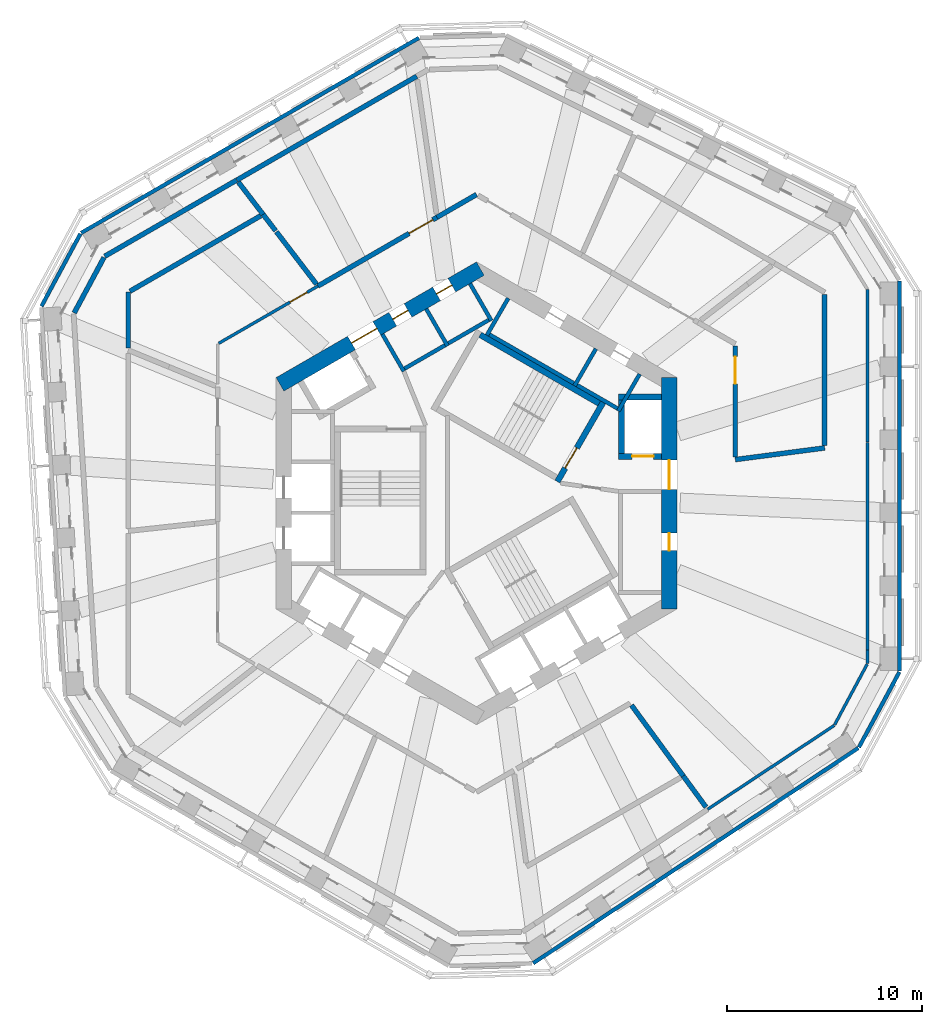
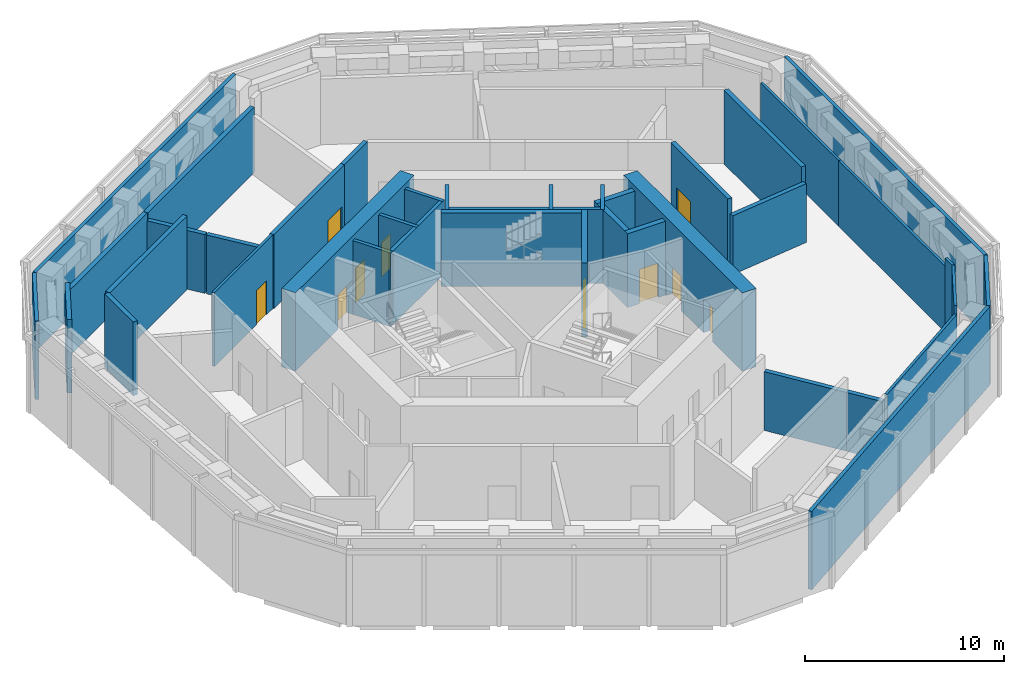
# One storey, part 7 of 15: 41 walls, 10 doors, 10 openings.
"""IFC4 building model written with IfcOpenShell, lengths in metres."""

from ifc_helpers import new_model, si_unit, direction, frame, frame_2d, origin, place, context, subcontext, project, spatial, rectangle, extrude, material, layer, layer_set, type_object, element, fill, save


model = new_model("IFC4")

# Units and contexts
model_context = context("Model", 3, precision=1e-05, world=origin(), true_north=direction((0.0, 1.0)))
body_context = subcontext(model_context, "Body", "Model", "MODEL_VIEW")
ifc_project = project(units=[si_unit("LENGTHUNIT", "METRE"), si_unit("AREAUNIT", "SQUARE_METRE"), si_unit("VOLUMEUNIT", "CUBIC_METRE"), si_unit("PLANEANGLEUNIT", "RADIAN"), si_unit("MASSUNIT", "GRAM", prefix="KILO")], contexts=[model_context])

# Site, building, storey
site_placement = place(None, origin())
site = spatial("IfcSite", under=ifc_project, at=site_placement, CompositionType="ELEMENT")
building_placement = place(site_placement, origin())
building = spatial("IfcBuilding", under=site, at=building_placement, Name="Vanh Sen Convention Tower", CompositionType="ELEMENT")
storey_placement = place(building_placement, frame((0.0, 0.0, 205.800048828125)))
storey = spatial("IfcBuildingStorey", under=building, at=storey_placement, Name="L51", CompositionType="ELEMENT", Elevation=205.800048828125)

# Walls
ifc_material_1 = material(Name="Concrete C40/50", Category="concrete")
ifc_layer_1 = layer(ifc_material_1, 0.25)
ifc_layer_set_1 = layer_set([ifc_layer_1], Name="Concrete C40/50")
wall_type_1 = type_object("IfcWallType", Name="Concrete wall 250 EI 180", PredefinedType="SOLIDWALL", material=ifc_layer_set_1)
wall_1_placement = place(storey_placement, frame((11.79638671875, -16.12841796875, 0.0), z_axis=(0.0, 0.0, 1.0), x_axis=(-0.59041584791, 0.807099204891, 0.0)))
element("IfcWall", 1, at=wall_1_placement, inside=storey, type_object=wall_type_1, Name="Fire-resisting wall L51-006", PredefinedType="SOLIDWALL", context=body_context, shape_type="SweptSolid", body=[
    extrude(rectangle(XDim=1.977294921875, YDim=0.25, at=frame_2d((0.98876953125, 0.0))), origin(), (0.0, 0.0, 1.0), 3.599853515625),
])
wall_2_placement = place(storey_placement, frame((7.96826171875, -10.894775390625, 0.0), z_axis=(0.0, 0.0, 1.0), x_axis=(0.590348117022, -0.807148747585, 0.0)))
element("IfcWall", 2, at=wall_2_placement, inside=storey, type_object=wall_type_1, Name="Fire-resisting wall L51-020", PredefinedType="SOLIDWALL", context=body_context, shape_type="SweptSolid", body=[
    extrude(rectangle(XDim=4.50439453125, YDim=0.25, at=frame_2d((2.252197265625, 0.0))), origin(), (0.0, 0.0, 1.0), 3.599853515625),
])
wall_3_placement = place(storey_placement, frame((13.300048828125, 1.732421875, 0.0), z_axis=(0.0, 0.0, 1.0), x_axis=(0.991624166516, 0.129156929283, 0.0)))
element("IfcWall", 3, at=wall_3_placement, inside=storey, type_object=wall_type_1, Name="Fire-resisting wall L51-034", PredefinedType="SOLIDWALL", context=body_context, shape_type="SweptSolid", body=[
    extrude(rectangle(XDim=4.638671875, YDim=0.25, at=frame_2d((2.3193359375, 0.0))), origin(), (0.0, 0.0, 1.0), 3.599853515625),
])
wall_4_placement = place(storey_placement, frame((17.89501953125, 2.4541015625, 0.0), z_axis=(0.0, 0.0, 1.0), x_axis=(0.0, 1.0, 0.0)))
element("IfcWall", 4, at=wall_4_placement, inside=storey, type_object=wall_type_1, Name="Fire-resisting wall L51-036", PredefinedType="SOLIDWALL", context=body_context, shape_type="SweptSolid", body=[
    extrude(rectangle(XDim=7.760498046875, YDim=0.25, at=frame_2d((3.88037109375, 0.0))), origin(), (0.0, 0.0, 1.0), 4.52001953125),
])
wall_5_placement = place(storey_placement, frame((-17.89990234375, 7.475830078125, 0.0), z_axis=(0.0, 0.0, 1.0), x_axis=(0.0, 1.0, 0.0)))
element("IfcWall", 5, at=wall_5_placement, inside=storey, type_object=wall_type_1, Name="Fire-resisting wall L51-041", PredefinedType="SOLIDWALL", context=body_context, shape_type="SweptSolid", body=[
    extrude(rectangle(XDim=2.858642578125, YDim=0.25, at=frame_2d((1.42919921875, 0.0))), origin(), (0.0, 0.0, 1.0), 4.52001953125),
])

# Wall, opening, door
wall_6_placement = place(storey_placement, frame((13.300048828125, 7.5791015625, 0.0), z_axis=(0.0, 0.0, 1.0), x_axis=(0.0, -1.0, 0.0)))
wall_6 = element("IfcWall", 6, at=wall_6_placement, inside=storey, type_object=wall_type_1, Name="Fire-resisting wall L51-042", PredefinedType="SOLIDWALL", context=body_context, shape_type="SweptSolid", body=[
    extrude(rectangle(XDim=5.70654296875, YDim=0.25, at=frame_2d((2.853271484375, 0.0))), origin(), (0.0, 0.0, 1.0), 4.52001953125),
])
opening_1_placement = place(wall_6_placement, frame((0.550048828125, 0.0, 0.0)))
opening_1 = element("IfcOpeningElement", 7, at=opening_1_placement, cuts=wall_6, Name="Opening D51106", PredefinedType="OPENING", context=body_context, shape_type="SweptSolid", body=[
    extrude(rectangle(XDim=1.39990234375, YDim=2.10009765625, at=frame_2d((0.699951171875, 1.050048828125))), frame((0.0, 0.135009765625, 0.0), z_axis=(0.0, -1.0, 0.0), x_axis=(1.0, 0.0, 0.0)), (0.0, 0.0, 1.0), 0.27001953125),
])
ifc_material_2 = material(Name="Steel S355", Category="steel")
door_type_1 = type_object("IfcDoorType", Name="Service door 1400 EI 60", OperationType="SINGLE_SWING_LEFT", PredefinedType="DOOR", material=ifc_material_2)
door_1_placement = place(opening_1_placement, origin())
door_1 = element("IfcDoor", 8, at=door_1_placement, inside=storey, type_object=door_type_1, Name="Service door D51106", OperationType="SINGLE_SWING_LEFT", OverallHeight=2.10009765625, OverallWidth=1.39990234375, PredefinedType="DOOR", context=body_context, shape_type="SweptSolid", body=[
    extrude(rectangle(XDim=1.39990234375, YDim=2.10009765625, at=frame_2d((0.699951171875, 1.050048828125))), frame((0.0, 0.02490234375, 0.0), z_axis=(0.0, -1.0, 0.0), x_axis=(1.0, 0.0, 0.0)), (0.0, 0.0, 1.0), 0.050048828125),
])
fill(opening_1, door_1)

# Walls
wall_7_placement = place(storey_placement, frame((-20.676025390625, 9.27587890625, 0.0), z_axis=(0.0, 0.0, 1.0), x_axis=(0.473256963985, 0.880924426974, 0.0)))
element("IfcWall", 9, at=wall_7_placement, inside=storey, type_object=wall_type_1, Name="Fire-resisting wall L51-046", PredefinedType="SOLIDWALL", context=body_context, shape_type="SweptSolid", body=[
    extrude(rectangle(XDim=3.23095703125, YDim=0.25, at=frame_2d((1.615478515625, 0.0))), origin(), (0.0, 0.0, 1.0), 4.52001953125),
])
wall_8_placement = place(storey_placement, frame((-17.8134765625, 10.384521484375, 0.0), z_axis=(0.0, 0.0, 1.0), x_axis=(0.866039997762, 0.499974721637, 0.0)))
element("IfcWall", 10, at=wall_8_placement, inside=storey, type_object=wall_type_1, Name="Fire-resisting wall L51-048", PredefinedType="SOLIDWALL", context=body_context, shape_type="SweptSolid", body=[
    extrude(rectangle(XDim=7.76318359375, YDim=0.25, at=frame_2d((3.881591796875, 0.0))), origin(), (0.0, 0.0, 1.0), 4.52001953125),
])

# Wall, opening, door
wall_9_placement = place(storey_placement, frame((-8.150146484375, 10.652099609375, 0.0), z_axis=(0.0, 0.0, 1.0), x_axis=(0.866033669941, 0.499985682323, 0.0)))
wall_9 = element("IfcWall", 11, at=wall_9_placement, inside=storey, type_object=wall_type_1, Name="Fire-resisting wall L51-051", PredefinedType="SOLIDWALL", context=body_context, shape_type="SweptSolid", body=[
    extrude(rectangle(XDim=7.065185546875, YDim=0.25, at=frame_2d((3.53271484375, 0.0))), origin(), (0.0, 0.0, 1.0), 4.52001953125),
])
opening_2_placement = place(wall_9_placement, frame((5.4150390625, 0.0, 0.0)))
opening_2 = element("IfcOpeningElement", 12, at=opening_2_placement, cuts=wall_9, Name="Opening D51109", PredefinedType="OPENING", context=body_context, shape_type="SweptSolid", body=[
    extrude(rectangle(XDim=1.39990234375, YDim=2.10009765625, at=frame_2d((0.699951171875, 1.050048828125))), frame((0.0, 0.135009765625, 0.0), z_axis=(0.0, -1.0, 0.0), x_axis=(1.0, 0.0, 0.0)), (0.0, 0.0, 1.0), 0.27001953125),
])
door_2_placement = place(opening_2_placement, origin())
door_2 = element("IfcDoor", 13, at=door_2_placement, inside=storey, type_object=door_type_1, Name="Service door D51109", OperationType="SINGLE_SWING_LEFT", OverallHeight=2.10009765625, OverallWidth=1.39990234375, PredefinedType="DOOR", context=body_context, shape_type="SweptSolid", body=[
    extrude(rectangle(XDim=1.39990234375, YDim=2.10009765625, at=frame_2d((0.699951171875, 1.050048828125))), frame((0.0, 0.02490234375, 0.0), z_axis=(0.0, -1.0, 0.0), x_axis=(1.0, 0.0, 0.0)), (0.0, 0.0, 1.0), 0.050048828125),
])
fill(opening_2, door_2)

# Walls
wall_10_placement = place(storey_placement, frame((-19.112548828125, 12.180908203125, 0.0), z_axis=(0.0, 0.0, 1.0), x_axis=(0.866048593798, 0.499959831567, 0.0)))
element("IfcWall", 14, at=wall_10_placement, inside=storey, type_object=wall_type_1, Name="Fire-resisting wall L51-054", PredefinedType="SOLIDWALL", context=body_context, shape_type="SweptSolid", body=[
    extrude(rectangle(XDim=7.834716796875, YDim=0.25, at=frame_2d((3.91748046875, 0.0))), origin(), (0.0, 0.0, 1.0), 4.02001953125),
])
wall_11_placement = place(storey_placement, frame((-10.283447265625, 13.43994140625, 0.0), z_axis=(0.0, 0.0, 1.0), x_axis=(0.607714696744, -0.794155430228, 0.0)))
element("IfcWall", 15, at=wall_11_placement, inside=storey, type_object=wall_type_1, Name="Fire-resisting wall L51-057", PredefinedType="SOLIDWALL", context=body_context, shape_type="SweptSolid", body=[
    extrude(rectangle(XDim=3.39013671875, YDim=0.25, at=frame_2d((1.695068359375, 0.0))), origin(), (0.0, 0.0, 1.0), 3.599853515625),
])
wall_12_placement = place(storey_placement, frame((-10.32470703125, 13.493896484375, 0.0), z_axis=(0.0, 0.0, 1.0), x_axis=(-0.607672305695, 0.794187867504, 0.0)))
element("IfcWall", 16, at=wall_12_placement, inside=storey, type_object=wall_type_1, Name="Fire-resisting wall L51-058", PredefinedType="SOLIDWALL", context=body_context, shape_type="SweptSolid", body=[
    extrude(rectangle(XDim=1.060302734375, YDim=0.25, at=frame_2d((0.5302734375, 0.0))), origin(), (0.0, 0.0, 1.0), 3.599853515625),
])
wall_13_placement = place(storey_placement, frame((-2.031494140625, 14.1845703125, 0.0), z_axis=(0.0, 0.0, 1.0), x_axis=(0.866031334088, 0.499989728273, 0.0)))
element("IfcWall", 17, at=wall_13_placement, inside=storey, type_object=wall_type_1, Name="Fire-resisting wall L51-059", PredefinedType="SOLIDWALL", context=body_context, shape_type="SweptSolid", body=[
    extrude(rectangle(XDim=2.345703125, YDim=0.25, at=frame_2d((1.1728515625, 0.0))), origin(), (0.0, 0.0, 1.0), 4.52001953125),
])
wall_14_placement = place(storey_placement, frame((-10.968994140625, 14.3359375, 0.0), z_axis=(0.0, 0.0, 1.0), x_axis=(-0.607750843191, 0.794127768436, 0.0)))
element("IfcWall", 18, at=wall_14_placement, inside=storey, type_object=wall_type_1, Name="Fire-resisting wall L51-060", PredefinedType="SOLIDWALL", context=body_context, shape_type="SweptSolid", body=[
    extrude(rectangle(XDim=2.078857421875, YDim=0.25, at=frame_2d((1.03955078125, 0.0))), origin(), (0.0, 0.0, 1.0), 3.599853515625),
])
wall_15_placement = place(storey_placement, frame((-12.315185546875, 16.099365234375, 0.0), z_axis=(0.0, 0.0, 1.0), x_axis=(0.866026394003, 0.499998284887, 0.0)))
element("IfcWall", 19, at=wall_15_placement, inside=storey, type_object=wall_type_1, Name="Fire-resisting wall L51-063", PredefinedType="SOLIDWALL", context=body_context, shape_type="SweptSolid", body=[
    extrude(rectangle(XDim=10.67529296875, YDim=0.25, at=frame_2d((5.337646484375, 0.0))), origin(), (0.0, 0.0, 1.0), 4.02001953125),
])

# Wall, openings, doors
ifc_material_3 = material(Name="Concrete C60/75", Category="concrete")
ifc_layer_2 = layer(ifc_material_3, 0.800048828125)
ifc_layer_set_2 = layer_set([ifc_layer_2], Name="Concrete C60/75")
wall_type_2 = type_object("IfcWallType", Name="Core outer wall 800 C60/75", PredefinedType="SHEAR", material=ifc_layer_set_2)
wall_16_placement = place(storey_placement, frame((9.89990234375, -5.94677734375, 0.0), z_axis=(0.0, 0.0, 1.0), x_axis=(0.0, 1.0, 0.0)))
wall_16 = element("IfcWall", 20, at=wall_16_placement, inside=storey, type_object=wall_type_2, Name="Core wall face E L51", PredefinedType="SHEAR", context=body_context, shape_type="SweptSolid", body=[
    extrude(rectangle(XDim=11.8935546875, YDim=0.800048828125, at=frame_2d((5.94677734375, 0.0))), origin(), (0.0, 0.0, 1.0), 4.800048828125),
])
opening_3_placement = place(wall_16_placement, frame((6.146728515625, 0.0, 0.0)))
opening_3 = element("IfcOpeningElement", 21, at=opening_3_placement, cuts=wall_16, Name="Opening D51001", PredefinedType="OPENING", context=body_context, shape_type="SweptSolid", body=[
    extrude(rectangle(XDim=1.5, YDim=2.10009765625, at=frame_2d((0.75, 1.050048828125))), frame((0.0, 0.409912109375, 0.0), z_axis=(0.0, -1.0, 0.0), x_axis=(1.0, 0.0, 0.0)), (0.0, 0.0, 1.0), 0.820068359375),
])
opening_4_placement = place(wall_16_placement, frame((2.99658203125, 0.0, 0.0)))
opening_4 = element("IfcOpeningElement", 22, at=opening_4_placement, cuts=wall_16, Name="Opening D51009", PredefinedType="OPENING", context=body_context, shape_type="SweptSolid", body=[
    extrude(rectangle(XDim=0.89990234375, YDim=2.10009765625, at=frame_2d((0.449951171875, 1.050048828125))), frame((0.0, 0.409912109375, 0.0), z_axis=(0.0, -1.0, 0.0), x_axis=(1.0, 0.0, 0.0)), (0.0, 0.0, 1.0), 0.820068359375),
])
ifc_material_4 = material(Name="Steel S355", Category="steel")
door_type_2 = type_object("IfcDoorType", Name="Plant door 900", OperationType="SINGLE_SWING_LEFT", PredefinedType="DOOR", material=ifc_material_4)
door_3_placement = place(opening_4_placement, origin())
door_3 = element("IfcDoor", 23, at=door_3_placement, inside=storey, type_object=door_type_2, Name="Plant door D51009", OperationType="SINGLE_SWING_LEFT", OverallHeight=2.10009765625, OverallWidth=0.89990234375, PredefinedType="DOOR", context=body_context, shape_type="SweptSolid", body=[
    extrude(rectangle(XDim=0.89990234375, YDim=2.10009765625, at=frame_2d((0.449951171875, 1.050048828125))), frame((0.0, 0.02490234375, 0.0), z_axis=(0.0, -1.0, 0.0), x_axis=(1.0, 0.0, 0.0)), (0.0, 0.0, 1.0), 0.050048828125),
])
fill(opening_4, door_3)
door_type_3 = type_object("IfcDoorType", Name="Stair lobby door 1500", OperationType="DOUBLE_DOOR_SINGLE_SWING", PredefinedType="DOOR", material=ifc_material_4)
door_4_placement = place(opening_3_placement, origin())
door_4 = element("IfcDoor", 24, at=door_4_placement, inside=storey, type_object=door_type_3, Name="Stair lobby door D51001", OperationType="DOUBLE_DOOR_SINGLE_SWING", OverallHeight=2.10009765625, OverallWidth=1.5, PredefinedType="DOOR", context=body_context, shape_type="SweptSolid", body=[
    extrude(rectangle(XDim=1.5, YDim=2.10009765625, at=frame_2d((0.75, 1.050048828125))), frame((0.0, 0.02490234375, 0.0), z_axis=(0.0, -1.0, 0.0), x_axis=(1.0, 0.0, 0.0)), (0.0, 0.0, 1.0), 0.050048828125),
])
fill(opening_3, door_4)

wall_17_placement = place(storey_placement, frame((0.199951171875, 11.547119140625, 0.0), z_axis=(0.0, 0.0, 1.0), x_axis=(-0.866023897231, -0.500002609418, 0.0)))
wall_17 = element("IfcWall", 25, at=wall_17_placement, inside=storey, type_object=wall_type_2, Name="Core wall face NW L51", PredefinedType="SHEAR", context=body_context, shape_type="SweptSolid", body=[
    extrude(rectangle(XDim=11.8935546875, YDim=0.800048828125, at=frame_2d((5.94677734375, 0.0))), origin(), (0.0, 0.0, 1.0), 4.800048828125),
])
opening_5_placement = place(wall_17_placement, frame((6.146728515625, 0.0, 0.0)))
opening_5 = element("IfcOpeningElement", 26, at=opening_5_placement, cuts=wall_17, Name="Opening D51002", PredefinedType="OPENING", context=body_context, shape_type="SweptSolid", body=[
    extrude(rectangle(XDim=1.5, YDim=2.10009765625, at=frame_2d((0.75, 1.050048828125))), frame((0.0, 0.409912109375, 0.0), z_axis=(0.0, -1.0, 0.0), x_axis=(1.0, 0.0, 0.0)), (0.0, 0.0, 1.0), 0.820068359375),
])
opening_6_placement = place(wall_17_placement, frame((1.69677734375, 0.0, 0.0)))
opening_6 = element("IfcOpeningElement", 27, at=opening_6_placement, cuts=wall_17, Name="Opening D51012", PredefinedType="OPENING", context=body_context, shape_type="SweptSolid", body=[
    extrude(rectangle(XDim=0.89990234375, YDim=2.10009765625, at=frame_2d((0.449951171875, 1.050048828125))), frame((0.0, 0.409912109375, 0.0), z_axis=(0.0, -1.0, 0.0), x_axis=(1.0, 0.0, 0.0)), (0.0, 0.0, 1.0), 0.820068359375),
])
opening_7_placement = place(wall_17_placement, frame((4.296630859375, 0.0, 0.0)))
opening_7 = element("IfcOpeningElement", 28, at=opening_7_placement, cuts=wall_17, Name="Opening D51013", PredefinedType="OPENING", context=body_context, shape_type="SweptSolid", body=[
    extrude(rectangle(XDim=0.89990234375, YDim=2.10009765625, at=frame_2d((0.449951171875, 1.050048828125))), frame((0.0, 0.409912109375, 0.0), z_axis=(0.0, -1.0, 0.0), x_axis=(1.0, 0.0, 0.0)), (0.0, 0.0, 1.0), 0.820068359375),
])
door_5_placement = place(opening_6_placement, origin())
door_5 = element("IfcDoor", 29, at=door_5_placement, inside=storey, type_object=door_type_2, Name="Plant door D51012", OperationType="SINGLE_SWING_LEFT", OverallHeight=2.10009765625, OverallWidth=0.89990234375, PredefinedType="DOOR", context=body_context, shape_type="SweptSolid", body=[
    extrude(rectangle(XDim=0.89990234375, YDim=2.10009765625, at=frame_2d((0.449951171875, 1.050048828125))), frame((0.0, 0.02490234375, 0.0), z_axis=(0.0, -1.0, 0.0), x_axis=(1.0, 0.0, 0.0)), (0.0, 0.0, 1.0), 0.050048828125),
])
fill(opening_6, door_5)
door_6_placement = place(opening_7_placement, origin())
door_6 = element("IfcDoor", 30, at=door_6_placement, inside=storey, type_object=door_type_2, Name="Plant door D51013", OperationType="SINGLE_SWING_LEFT", OverallHeight=2.10009765625, OverallWidth=0.89990234375, PredefinedType="DOOR", context=body_context, shape_type="SweptSolid", body=[
    extrude(rectangle(XDim=0.89990234375, YDim=2.10009765625, at=frame_2d((0.449951171875, 1.050048828125))), frame((0.0, 0.02490234375, 0.0), z_axis=(0.0, -1.0, 0.0), x_axis=(1.0, 0.0, 0.0)), (0.0, 0.0, 1.0), 0.050048828125),
])
fill(opening_7, door_6)
door_7_placement = place(opening_5_placement, origin())
door_7 = element("IfcDoor", 31, at=door_7_placement, inside=storey, type_object=door_type_3, Name="Stair lobby door D51002", OperationType="DOUBLE_DOOR_SINGLE_SWING", OverallHeight=2.10009765625, OverallWidth=1.5, PredefinedType="DOOR", context=body_context, shape_type="SweptSolid", body=[
    extrude(rectangle(XDim=1.5, YDim=2.10009765625, at=frame_2d((0.75, 1.050048828125))), frame((0.0, 0.02490234375, 0.0), z_axis=(0.0, -1.0, 0.0), x_axis=(1.0, 0.0, 0.0)), (0.0, 0.0, 1.0), 0.050048828125),
])
fill(opening_5, door_7)

# Walls
ifc_material_5 = material(Name="Insulated lightweight infill wall")
ifc_layer_3 = layer(ifc_material_5, 0.199951171875)
ifc_layer_set_3 = layer_set([ifc_layer_3], Name="Insulated lightweight infill wall")
wall_type_3 = type_object("IfcWallType", Name="External wall 200", PredefinedType="STANDARD", material=ifc_layer_set_3)
for number, where, z_axis, x_axis, name in (
    (32, (21.75, -9.138427734375, 0.0), (0.0, 0.0, 1.0), (0.0, 1.0, 0.0), "External wall E L51"),
    (33, (-2.9609375, 23.4052734375, 0.0), (0.0, 0.0, 1.0), (-0.866023315909, -0.500003616288, 0.0), "External wall NW L51"),
):
    element("IfcWall", number, at=place(storey_placement, frame(where, z_axis=z_axis, x_axis=x_axis)), inside=storey, type_object=wall_type_3, Name=name, PredefinedType="STANDARD", context=body_context, shape_type="SweptSolid", body=[
        extrude(rectangle(XDim=20.043701171875, YDim=0.199951171875, at=frame_2d((10.02197265625, 0.0))), origin(), (0.0, 0.0, 1.0), 4.800048828125),
    ])
wall_18_placement = place(storey_placement, frame((-20.357421875, 13.343994140625, 0.0), z_axis=(0.0, 0.0, 1.0), x_axis=(-0.473288913494, -0.880907262068, 0.0)))
element("IfcWall", 34, at=wall_18_placement, inside=storey, type_object=wall_type_3, Name="External wall CH3 L51", PredefinedType="STANDARD", context=body_context, shape_type="SweptSolid", body=[
    extrude(rectangle(XDim=4.238037109375, YDim=0.199951171875, at=frame_2d((2.119140625, 0.0))), origin(), (0.0, 0.0, 1.0), 4.800048828125),
])
wall_19_placement = place(storey_placement, frame((2.910888671875, -24.156005859375, 0.0), z_axis=(0.0, 0.0, 1.0), x_axis=(0.833882163564, 0.551942512668, 0.0)))
element("IfcWall", 35, at=wall_19_placement, inside=storey, type_object=wall_type_3, Name="External wall SE L51", PredefinedType="STANDARD", context=body_context, shape_type="SweptSolid", body=[
    extrude(rectangle(XDim=20.043701171875, YDim=0.199951171875, at=frame_2d((10.02197265625, 0.0))), origin(), (0.0, 0.0, 1.0), 4.800048828125),
])
wall_20_placement = place(storey_placement, frame((19.657958984375, -13.05712890625, 0.0), z_axis=(0.0, 0.0, 1.0), x_axis=(0.473307879841, 0.880897071672, 0.0)))
element("IfcWall", 36, at=wall_20_placement, inside=storey, type_object=wall_type_3, Name="External wall CH6 L51", PredefinedType="STANDARD", context=body_context, shape_type="SweptSolid", body=[
    extrude(rectangle(XDim=4.394775390625, YDim=0.199951171875, at=frame_2d((2.197265625, 0.0))), origin(), (0.0, 0.0, 1.0), 4.800048828125),
])

# Wall, opening, door
ifc_layer_4 = layer(ifc_material_3, 0.300048828125)
ifc_layer_set_4 = layer_set([ifc_layer_4], Name="Concrete C60/75")
wall_type_4 = type_object("IfcWallType", Name="Fire-fighting lift shaft wall 300", PredefinedType="SHEAR", material=ifc_layer_set_4)
wall_21_placement = place(storey_placement, frame((7.300048828125, 1.89990234375, 0.0), z_axis=(0.0, 0.0, 1.0), x_axis=(1.0, 0.0, 0.0)))
wall_21 = element("IfcWall", 37, at=wall_21_placement, inside=storey, type_object=wall_type_4, Name="Fire-fighting lift shaft wall L51", PredefinedType="SHEAR", context=body_context, shape_type="SweptSolid", body=[
    extrude(rectangle(XDim=2.199951171875, YDim=0.300048828125, at=frame_2d((1.10009765625, 0.0))), origin(), (0.0, 0.0, 1.0), 4.52001953125),
])
opening_8_placement = place(wall_21_placement, frame((0.699951171875, 0.0, 0.0)))
opening_8 = element("IfcOpeningElement", 38, at=opening_8_placement, cuts=wall_21, Name="Opening LD-FF1", PredefinedType="OPENING", context=body_context, shape_type="SweptSolid", body=[
    extrude(rectangle(XDim=1.10009765625, YDim=2.10009765625, at=frame_2d((0.550048828125, 1.050048828125))), frame((0.0, 0.159912109375, 0.0), z_axis=(0.0, -1.0, 0.0), x_axis=(1.0, 0.0, 0.0)), (0.0, 0.0, 1.0), 0.320068359375),
])
ifc_material_6 = material(Name="Stainless steel", Category="steel")
door_type_4 = type_object("IfcDoorType", Name="Fire-fighting lift landing door 1100", OperationType="DOUBLE_DOOR_SLIDING", PredefinedType="DOOR", material=ifc_material_6)
door_8_placement = place(opening_8_placement, origin())
door_8 = element("IfcDoor", 39, at=door_8_placement, inside=storey, type_object=door_type_4, Name="Lift FF1 landing door LD-FF1", OperationType="DOUBLE_DOOR_SLIDING", OverallHeight=2.10009765625, OverallWidth=1.10009765625, PredefinedType="DOOR", context=body_context, shape_type="SweptSolid", body=[
    extrude(rectangle(XDim=1.10009765625, YDim=2.10009765625, at=frame_2d((0.550048828125, 1.050048828125))), frame((0.0, 0.02490234375, 0.0), z_axis=(0.0, -1.0, 0.0), x_axis=(1.0, 0.0, 0.0)), (0.0, 0.0, 1.0), 0.050048828125),
])
fill(opening_8, door_8)

# Walls
wall_22_placement = place(storey_placement, frame((7.449951171875, 1.75, 0.0), z_axis=(0.0, 0.0, 1.0), x_axis=(0.0, 1.0, 0.0)))
element("IfcWall", 40, at=wall_22_placement, inside=storey, type_object=wall_type_4, Name="Fire-fighting lift shaft wall L51", PredefinedType="SHEAR", context=body_context, shape_type="SweptSolid", body=[
    extrude(rectangle(XDim=3.35009765625, YDim=0.300048828125, at=frame_2d((1.675048828125, 0.0))), origin(), (0.0, 0.0, 1.0), 4.52001953125),
])
wall_23_placement = place(storey_placement, frame((7.300048828125, 4.949951171875, 0.0), z_axis=(0.0, 0.0, 1.0), x_axis=(1.0, 0.0, 0.0)))
element("IfcWall", 41, at=wall_23_placement, inside=storey, type_object=wall_type_4, Name="Fire-fighting lift shaft wall L51", PredefinedType="SHEAR", context=body_context, shape_type="SweptSolid", body=[
    extrude(rectangle(XDim=2.199951171875, YDim=0.300048828125, at=frame_2d((1.10009765625, 0.0))), origin(), (0.0, 0.0, 1.0), 4.52001953125),
])
ifc_layer_5 = layer(ifc_material_1, 0.199951171875)
ifc_layer_set_5 = layer_set([ifc_layer_5], Name="Concrete C40/50")
wall_type_5 = type_object("IfcWallType", Name="Lift shaft wall 200", PredefinedType="PARTITIONING", material=ifc_layer_set_5)
wall_24_placement = place(storey_placement, frame((7.423828125, 4.258544921875, 0.0), z_axis=(0.0, 0.0, 1.0), x_axis=(-0.866026010844, 0.49999894854, 0.0)))
element("IfcWall", 42, at=wall_24_placement, inside=storey, type_object=wall_type_5, Name="Lift shaft wall L51", PredefinedType="PARTITIONING", context=body_context, shape_type="SweptSolid", body=[
    extrude(rectangle(XDim=8.0, YDim=0.199951171875, at=frame_2d((4.0, 0.0))), origin(), (0.0, 0.0, 1.0), 4.52001953125),
])
for number, where, z_axis, x_axis, name in (
    (43, (7.287353515625, 4.221923828125, 0.0), (0.0, 0.0, 1.0), (0.499946605688, 0.86605622881, 0.0), "Lift shaft wall L51"),
    (44, (5.03564453125, 5.52197265625, 0.0), (0.0, 0.0, 1.0), (0.499946605688, 0.86605622881, 0.0), "Lift shaft wall L51"),
    (45, (0.5322265625, 8.1220703125, 0.0), (0.0, 0.0, 1.0), (0.500077893725, 0.86598042715, 0.0), "Lift shaft wall L51"),
):
    element("IfcWall", number, at=place(storey_placement, frame(where, z_axis=z_axis, x_axis=x_axis)), inside=storey, type_object=wall_type_5, Name=name, PredefinedType="PARTITIONING", context=body_context, shape_type="SweptSolid", body=[
        extrude(rectangle(XDim=2.199951171875, YDim=0.199951171875, at=frame_2d((1.10009765625, 0.0))), origin(), (0.0, 0.0, 1.0), 4.52001953125),
    ])
wall_25_placement = place(storey_placement, frame((0.80322265625, 9.008544921875, 0.0), z_axis=(0.0, 0.0, 1.0), x_axis=(-0.866028230842, -0.499995103361, 0.0)))
element("IfcWall", 46, at=wall_25_placement, inside=storey, type_object=wall_type_5, Name="Lift shaft wall L51", PredefinedType="PARTITIONING", context=body_context, shape_type="SweptSolid", body=[
    extrude(rectangle(XDim=5.39990234375, YDim=0.199951171875, at=frame_2d((2.699951171875, 0.0))), origin(), (0.0, 0.0, 1.0), 4.52001953125),
])
wall_26_placement = place(storey_placement, frame((0.7666015625, 8.8720703125, 0.0), z_axis=(0.0, 0.0, 1.0), x_axis=(-0.499994660107, 0.866028486751, 0.0)))
element("IfcWall", 47, at=wall_26_placement, inside=storey, type_object=wall_type_5, Name="Lift shaft wall L51", PredefinedType="PARTITIONING", context=body_context, shape_type="SweptSolid", body=[
    extrude(rectangle(XDim=2.19970703125, YDim=0.199951171875, at=frame_2d((1.099853515625, 0.0))), origin(), (0.0, 0.0, 1.0), 4.52001953125),
])
for number, where, z_axis, x_axis, name in (
    (48, (-1.48486328125, 7.572021484375, 0.0), (0.0, 0.0, 1.0), (-0.50002983664, 0.866008176907, 0.0), "Lift shaft wall L51"),
    (49, (-3.736572265625, 6.27197265625, 0.0), (0.0, 0.0, 1.0), (-0.50002983664, 0.866008176907, 0.0), "Lift shaft wall L51"),
):
    element("IfcWall", number, at=place(storey_placement, frame(where, z_axis=z_axis, x_axis=x_axis)), inside=storey, type_object=wall_type_5, Name=name, PredefinedType="PARTITIONING", context=body_context, shape_type="SweptSolid", body=[
        extrude(rectangle(XDim=2.199951171875, YDim=0.199951171875, at=frame_2d((1.10009765625, 0.0))), origin(), (0.0, 0.0, 1.0), 4.52001953125),
    ])
ifc_material_7 = material(Name="Gypsum board on steel studs", Category="steel")
ifc_layer_6 = layer(ifc_material_7, 0.14990234375)
ifc_layer_set_6 = layer_set([ifc_layer_6], Name="Gypsum board on steel studs")
wall_type_6 = type_object("IfcWallType", Name="Partition 150", PredefinedType="PARTITIONING", material=ifc_layer_set_6)
wall_27_placement = place(storey_placement, frame((18.388916015625, -11.9326171875, 0.0), z_axis=(0.0, 0.0, 1.0), x_axis=(-0.833883730821, -0.551940144827, 0.0)))
element("IfcWall", 50, at=wall_27_placement, inside=storey, type_object=wall_type_6, Name="Partition L51-017", PredefinedType="PARTITIONING", context=body_context, shape_type="SweptSolid", body=[
    extrude(rectangle(XDim=7.80615234375, YDim=0.14990234375, at=frame_2d((3.903076171875, 0.0))), origin(), (0.0, 0.0, 1.0), 4.02001953125),
])
wall_28_placement = place(storey_placement, frame((20.0810546875, -8.78369140625, 0.0), z_axis=(0.0, 0.0, 1.0), x_axis=(-0.473349998863, -0.880874439734, 0.0)))
element("IfcWall", 51, at=wall_28_placement, inside=storey, type_object=wall_type_6, Name="Partition L51-025", PredefinedType="PARTITIONING", context=body_context, shape_type="SweptSolid", body=[
    extrude(rectangle(XDim=3.53466796875, YDim=0.14990234375, at=frame_2d((1.767333984375, 0.0))), origin(), (0.0, 0.0, 1.0), 4.52001953125),
])
wall_29_placement = place(storey_placement, frame((20.10009765625, -8.06005859375, 0.0), z_axis=(0.0, 0.0, 1.0), x_axis=(0.0, -1.0, 0.0)))
element("IfcWall", 52, at=wall_29_placement, inside=storey, type_object=wall_type_6, Name="Partition L51-026", PredefinedType="PARTITIONING", context=body_context, shape_type="SweptSolid", body=[
    extrude(rectangle(XDim=0.6884765625, YDim=0.14990234375, at=frame_2d((0.34423828125, 0.0))), origin(), (0.0, 0.0, 1.0), 4.52001953125),
])
wall_30_placement = place(storey_placement, frame((20.10009765625, 2.615478515625, 0.0), z_axis=(0.0, 0.0, 1.0), x_axis=(0.0, -1.0, 0.0)))
element("IfcWall", 53, at=wall_30_placement, inside=storey, type_object=wall_type_6, Name="Partition L51-037", PredefinedType="PARTITIONING", context=body_context, shape_type="SweptSolid", body=[
    extrude(rectangle(XDim=10.675537109375, YDim=0.14990234375, at=frame_2d((5.337890625, 0.0))), origin(), (0.0, 0.0, 1.0), 4.02001953125),
])
wall_31_placement = place(storey_placement, frame((20.10498046875, 10.46337890625, 0.0), z_axis=(0.0, 0.0, 1.0), x_axis=(0.0, -1.0, 0.0)))
element("IfcWall", 54, at=wall_31_placement, inside=storey, type_object=wall_type_6, Name="Partition L51-049", PredefinedType="PARTITIONING", context=body_context, shape_type="SweptSolid", body=[
    extrude(rectangle(XDim=7.83837890625, YDim=0.14990234375, at=frame_2d((3.919189453125, 0.0))), origin(), (0.0, 0.0, 1.0), 4.02001953125),
])

# Wall, opening, door
wall_32_placement = place(storey_placement, frame((-8.14990234375, 10.652099609375, 0.0), z_axis=(0.0, 0.0, 1.0), x_axis=(-0.866047461757, -0.499961792524, 0.0)))
wall_32 = element("IfcWall", 55, at=wall_32_placement, inside=storey, type_object=wall_type_6, Name="Partition L51-050", PredefinedType="PARTITIONING", context=body_context, shape_type="SweptSolid", body=[
    extrude(rectangle(XDim=5.88671875, YDim=0.14990234375, at=frame_2d((2.943359375, 0.0))), origin(), (0.0, 0.0, 1.0), 4.52001953125),
])
opening_9_placement = place(wall_32_placement, frame((0.64990234375, 0.0, 0.0)))
opening_9 = element("IfcOpeningElement", 56, at=opening_9_placement, cuts=wall_32, Name="Opening D51108", PredefinedType="OPENING", context=body_context, shape_type="SweptSolid", body=[
    extrude(rectangle(XDim=1.0, YDim=2.10009765625, at=frame_2d((0.5, 1.050048828125))), frame((0.0, 0.0849609375, 0.0), z_axis=(0.0, -1.0, 0.0), x_axis=(1.0, 0.0, 0.0)), (0.0, 0.0, 1.0), 0.169921875),
])
ifc_material_8 = material(Name="Timber door in steel frame", Category="steel")
door_type_5 = type_object("IfcDoorType", Name="Room door 1000", OperationType="SINGLE_SWING_LEFT", PredefinedType="DOOR", material=ifc_material_8)
door_9_placement = place(opening_9_placement, origin())
door_9 = element("IfcDoor", 57, at=door_9_placement, inside=storey, type_object=door_type_5, Name="Room door D51108", OperationType="SINGLE_SWING_LEFT", OverallHeight=2.10009765625, OverallWidth=1.0, PredefinedType="DOOR", context=body_context, shape_type="SweptSolid", body=[
    extrude(rectangle(XDim=1.0, YDim=2.10009765625, at=frame_2d((0.5, 1.050048828125))), frame((0.0, 0.02490234375, 0.0), z_axis=(0.0, -1.0, 0.0), x_axis=(1.0, 0.0, 0.0)), (0.0, 0.0, 1.0), 0.050048828125),
])
fill(opening_9, door_9)

ifc_layer_7 = layer(ifc_material_3, 0.300048828125)
ifc_layer_set_7 = layer_set([ifc_layer_7], Name="Concrete C60/75")
wall_type_7 = type_object("IfcWallType", Name="Stair wall 300", PredefinedType="SHEAR", material=ifc_layer_set_7)
wall_33_placement = place(storey_placement, frame((4.157958984375, 0.601806640625, 0.0), z_axis=(0.0, 0.0, 1.0), x_axis=(0.499977259774, 0.866038532462, 0.0)))
wall_33 = element("IfcWall", 58, at=wall_33_placement, inside=storey, type_object=wall_type_7, Name="Stair wall L51", PredefinedType="SHEAR", context=body_context, shape_type="SweptSolid", body=[
    extrude(rectangle(XDim=4.699951171875, YDim=0.300048828125, at=frame_2d((2.35009765625, 0.0))), origin(), (0.0, 0.0, 1.0), 4.52001953125),
])
opening_10_placement = place(wall_33_placement, frame((0.800048828125, 0.0, 0.0)))
opening_10 = element("IfcOpeningElement", 59, at=opening_10_placement, cuts=wall_33, Name="Opening D51004", PredefinedType="OPENING", context=body_context, shape_type="SweptSolid", body=[
    extrude(rectangle(XDim=1.199951171875, YDim=2.10009765625, at=frame_2d((0.60009765625, 1.050048828125))), frame((0.0, 0.159912109375, 0.0), z_axis=(0.0, -1.0, 0.0), x_axis=(1.0, 0.0, 0.0)), (0.0, 0.0, 1.0), 0.320068359375),
])
door_type_6 = type_object("IfcDoorType", Name="Stair door 1200", OperationType="SINGLE_SWING_RIGHT", PredefinedType="DOOR", material=ifc_material_4)
door_10_placement = place(opening_10_placement, origin())
door_10 = element("IfcDoor", 60, at=door_10_placement, inside=storey, type_object=door_type_6, Name="Stair ST1 door D51004", OperationType="SINGLE_SWING_RIGHT", OverallHeight=2.10009765625, OverallWidth=1.199951171875, PredefinedType="DOOR", context=body_context, shape_type="SweptSolid", body=[
    extrude(rectangle(XDim=1.199951171875, YDim=2.10009765625, at=frame_2d((0.60009765625, 1.050048828125))), frame((0.0, 0.02490234375, 0.0), z_axis=(0.0, -1.0, 0.0), x_axis=(1.0, 0.0, 0.0)), (0.0, 0.0, 1.0), 0.050048828125),
])
fill(opening_10, door_10)

# Wall
wall_34_placement = place(storey_placement, frame((6.302978515625, 4.6171875, 0.0), z_axis=(0.0, 0.0, 1.0), x_axis=(-0.866027801685, 0.499995846692, 0.0)))
element("IfcWall", 61, at=wall_34_placement, inside=storey, type_object=wall_type_7, Name="Stair wall L51", PredefinedType="SHEAR", context=body_context, shape_type="SweptSolid", body=[
    extrude(rectangle(XDim=7.06005859375, YDim=0.300048828125, at=frame_2d((3.530029296875, 0.0))), origin(), (0.0, 0.0, 1.0), 4.52001953125),
])

save(model, "model.ifc")
